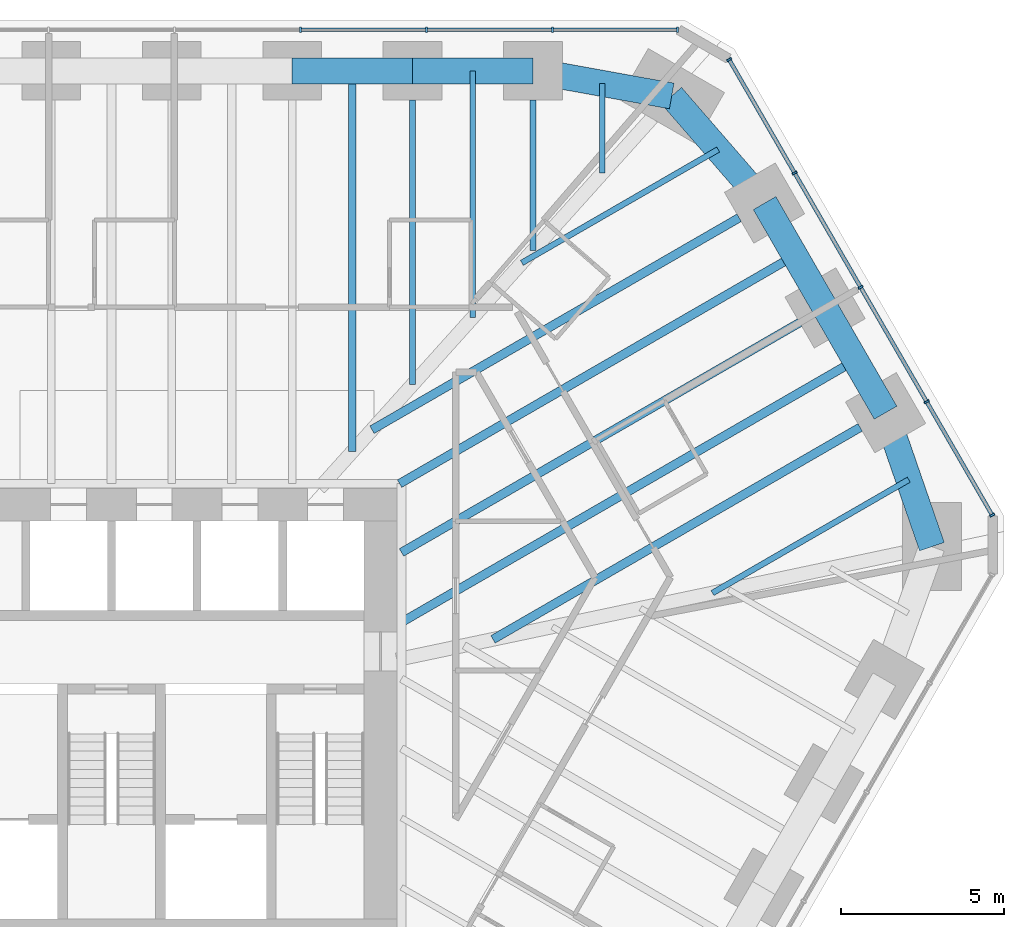
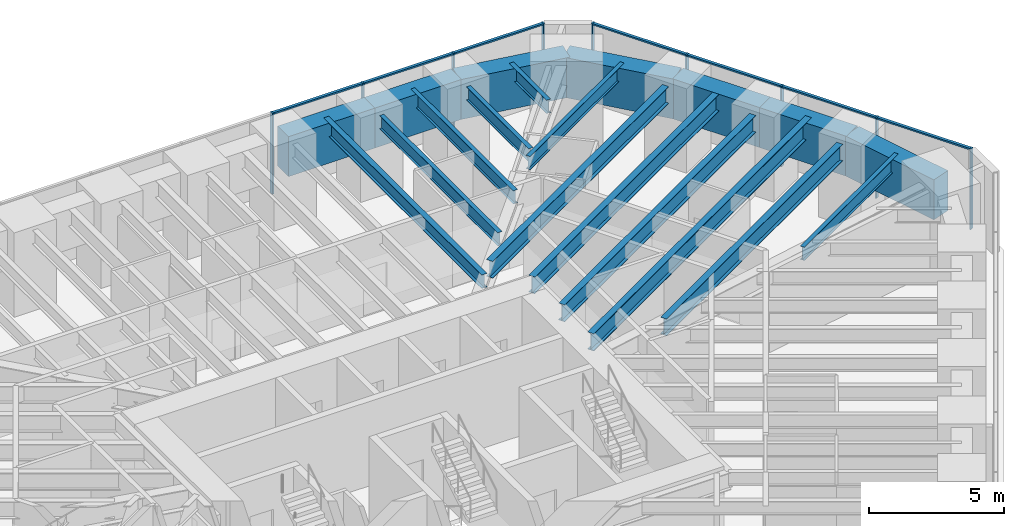
# One storey, part 9 of 16: 19 beams, 16 members, 2 elements without a shape of their own.
"""IFC4 building model written with IfcOpenShell, lengths in metres."""

import ifcopenshell
import ifcopenshell.guid

model = None  # the IFC model being written
_history = None  # IfcOwnerHistory: only IFC2X3 demands one
_inside = {}  # id of a spatial element -> (the spatial element, [elements in it])
_under = {}  # id of a project, library or spatial element -> (it, [spatial elements below it])
_declared = {}  # id of a project -> (the project, [libraries it declares])
_typed = {}  # id of a type object -> (the type object, [elements of that type])
_made_of = {}  # id of a material, layer set ... -> (it, [elements and type objects made of it])


def new_model(schema):
    """Start an empty IFC model of exactly this schema.

    Asked for "IFC4X3", IfcOpenShell would pick the latest addendum, in which some entities
    have other attributes; the version numbers below select the first issue.
    IFC2X3 requires an IfcOwnerHistory on every rooted entity: one is made here for all.
    """
    global model, _history
    if schema == "IFC4X3":
        model = ifcopenshell.file(schema_version=(4, 3, 0, 0))
    else:
        model = ifcopenshell.file(schema=schema)
    _inside.clear()
    _under.clear()
    _declared.clear()
    _typed.clear()
    _made_of.clear()
    _history = None
    if model.schema == "IFC2X3":
        org = make("IfcOrganization", Name="unknown")
        user = make(
            "IfcPersonAndOrganization",
            ThePerson=make("IfcPerson", FamilyName="unknown"),
            TheOrganization=org,
        )
        app = make(
            "IfcApplication",
            ApplicationDeveloper=org,
            Version="unknown",
            ApplicationFullName="unknown",
            ApplicationIdentifier="unknown",
        )
        _history = make(
            "IfcOwnerHistory",
            OwningUser=user,
            OwningApplication=app,
            ChangeAction="ADDED",
            CreationDate=0,
        )
    return model


def make(cls, **values):
    """One entity of the class cls with the attributes given. An attribute that is None is left unset."""
    return model.create_entity(
        cls, **{name: value for name, value in values.items() if value is not None}
    )


def rooted(cls, **values):
    """An entity with a GlobalId (a new one), such as an element, a storey or a relation."""
    return make(cls, GlobalId=ifcopenshell.guid.new(), OwnerHistory=_history, **values)


def si_unit(unit_type, name, prefix=None):
    """IfcSIUnit, for example si_unit("LENGTHUNIT", "METRE", prefix="MILLI")."""
    return make("IfcSIUnit", UnitType=unit_type, Prefix=prefix, Name=name)


def assignment(units):
    """IfcUnitAssignment: the units of a project."""
    return None if units is None else make("IfcUnitAssignment", Units=units)


def point(xyz):
    """IfcCartesianPoint."""
    return None if xyz is None else make("IfcCartesianPoint", Coordinates=xyz)


def direction(xyz):
    """IfcDirection."""
    return None if xyz is None else make("IfcDirection", DirectionRatios=xyz)


def frame(location, z_axis=None, x_axis=None):
    """IfcAxis2Placement3D, a coordinate frame: its origin and axes. An axis left out is left unset."""
    return make(
        "IfcAxis2Placement3D",
        Location=point(location),
        Axis=direction(z_axis),
        RefDirection=direction(x_axis),
    )


def frame_2d(location, x_axis=None):
    """IfcAxis2Placement2D, a coordinate frame in the plane: its origin and x axis."""
    return make(
        "IfcAxis2Placement2D", Location=point(location), RefDirection=direction(x_axis)
    )


def origin():
    """The frame at (0, 0, 0) with its axes left unset."""
    return frame((0.0, 0.0, 0.0))


def origin_2d():
    """The frame at (0, 0) in the plane with its x axis left unset."""
    return frame_2d((0.0, 0.0))


def place(relative_to, where):
    """IfcLocalPlacement: puts the frame where relative to a parent placement (None: the world)."""
    return make(
        "IfcLocalPlacement", PlacementRelTo=relative_to, RelativePlacement=where
    )


def context(
    kind, dimensions, precision=None, world=None, true_north=None, identifier=None
):
    """IfcGeometricRepresentationContext, for example the 3D "Model" context."""
    return make(
        "IfcGeometricRepresentationContext",
        ContextIdentifier=identifier,
        ContextType=kind,
        CoordinateSpaceDimension=dimensions,
        Precision=precision,
        WorldCoordinateSystem=world,
        TrueNorth=true_north,
    )


def subcontext(parent, identifier, kind, view, scale=None):
    """IfcGeometricRepresentationSubContext, for example "Body" below "Model"."""
    return make(
        "IfcGeometricRepresentationSubContext",
        ContextIdentifier=identifier,
        ContextType=kind,
        ParentContext=parent,
        TargetScale=scale,
        TargetView=view,
    )


def project(units=None, contexts=None):
    """IfcProject with its units and contexts."""
    return rooted(
        "IfcProject",
        Name="project",
        RepresentationContexts=contexts,
        UnitsInContext=assignment(units),
    )


def spatial(cls, under=None, at=None, **own):
    """A site, building, storey or space (cls), placed at a placement, below another one or the project."""
    s = rooted(cls, ObjectPlacement=at, **own)
    if under is not None:
        _under.setdefault(under.id(), (under, []))[1].append(s)
    return s


def profile(cls, at=None, kind="AREA", **sizes):
    """A parametric profile (cls). Its sizes go by their IFC names, for example OverallWidth=200.0."""
    return make(cls, ProfileType=kind, Position=at, **sizes)


def rectangle(**sizes):
    """IfcRectangleProfileDef."""
    return profile("IfcRectangleProfileDef", **sizes)


def i_section(**sizes):
    """IfcIShapeProfileDef."""
    return profile("IfcIShapeProfileDef", **sizes)


def extrude(swept, where, along, depth):
    """IfcExtrudedAreaSolid: the profile swept, set in the frame where, extruded along a direction by depth."""
    return make(
        "IfcExtrudedAreaSolid",
        SweptArea=swept,
        Position=where,
        ExtrudedDirection=direction(along),
        Depth=depth,
    )


def shape(context_of_items, identifier, shape_type, items):
    """IfcShapeRepresentation: the items that make up one representation, for example the "Body"."""
    return make(
        "IfcShapeRepresentation",
        ContextOfItems=context_of_items,
        RepresentationIdentifier=identifier,
        RepresentationType=shape_type,
        Items=items,
    )


def material(Name=None, Category=None):
    """IfcMaterial."""
    return make("IfcMaterial", Name=Name, Category=Category)


def material_profile(
    of_material, cross_section, Name=None, Category=None, Priority=None
):
    """IfcMaterialProfile: a cross section and its material."""
    return make(
        "IfcMaterialProfile",
        Name=Name,
        Material=of_material,
        Profile=cross_section,
        Priority=Priority,
        Category=Category,
    )


def profile_set(profiles, Name=None, composite=None):
    """IfcMaterialProfileSet."""
    return make(
        "IfcMaterialProfileSet",
        Name=Name,
        MaterialProfiles=profiles,
        CompositeProfile=composite,
    )


def made_of(thing, what):
    """Note that an element or type object is made of a material, layer set ...; save() writes the relation."""
    if what is not None:
        _made_of.setdefault(what.id(), (what, []))[1].append(thing)
    return thing


def type_object(cls, material=None, **own):
    """A type object (cls), such as IfcWallType, which elements share."""
    return made_of(rooted(cls, **own), material)


def element(
    cls,
    number,
    at=None,
    inside=None,
    cuts=None,
    type_object=None,
    material=None,
    context=None,
    identifier="Body",
    shape_type=None,
    held_by="IfcProductDefinitionShape",
    body=None,
    shapes=None,
    **own,
):
    """One element of the class cls, such as IfcWall. Its Tag is "e" and its number.

    at: its placement. inside: the storey or other place that contains it. cuts: it is an
    opening in that element (IfcRelVoidsElement). A single representation is given by context,
    identifier, shape_type and body (its items); several are given by shapes. held_by: the class
    of the entity that holds the representations. save() writes the other relations.
    """
    e = rooted(cls, Tag="e%d" % number, ObjectPlacement=at, **own)
    if body is not None:
        shapes = [shape(context, identifier, shape_type, body)]
    if shapes is not None:
        e.Representation = make(held_by, Representations=shapes)
    if inside is not None:
        _inside.setdefault(inside.id(), (inside, []))[1].append(e)
    if cuts is not None:
        rooted(
            "IfcRelVoidsElement", RelatingBuildingElement=cuts, RelatedOpeningElement=e
        )
    if type_object is not None:
        _typed.setdefault(type_object.id(), (type_object, []))[1].append(e)
    return made_of(e, material)


def aggregate(whole, parts):
    """IfcRelAggregates: a whole, such as a stair, and the parts it consists of."""
    return rooted("IfcRelAggregates", RelatingObject=whole, RelatedObjects=parts)


def save(model, path):
    """Write the relations noted so far, then the file.

    IfcRelAggregates (storeys below a building ...), IfcRelContainedInSpatialStructure (elements
    in a storey), IfcRelDefinesByType, IfcRelAssociatesMaterial and IfcRelDeclares: one each for
    every whole, place, type object, material and project.
    """
    for whole, parts in _under.values():
        aggregate(whole, parts)
    for where, things in _inside.values():
        rooted(
            "IfcRelContainedInSpatialStructure",
            RelatedElements=things,
            RelatingStructure=where,
        )
    for kind, things in _typed.values():
        rooted("IfcRelDefinesByType", RelatedObjects=things, RelatingType=kind)
    for what, things in _made_of.values():
        rooted("IfcRelAssociatesMaterial", RelatedObjects=things, RelatingMaterial=what)
    for by, libraries in _declared.values():
        rooted("IfcRelDeclares", RelatingContext=by, RelatedDefinitions=libraries)
    model.write(path)


model = new_model("IFC4")

# Units and contexts
model_context = context("Model", 3, precision=1e-05, world=origin(), true_north=direction((0.0, 1.0)))
body_context = subcontext(model_context, "Body", "Model", "MODEL_VIEW")
ifc_project = project(units=[si_unit("LENGTHUNIT", "METRE"), si_unit("AREAUNIT", "SQUARE_METRE"), si_unit("VOLUMEUNIT", "CUBIC_METRE"), si_unit("PLANEANGLEUNIT", "RADIAN"), si_unit("MASSUNIT", "GRAM", prefix="KILO")], contexts=[model_context])

# Site, building, storey
site_placement = place(None, origin())
site = spatial("IfcSite", under=ifc_project, at=site_placement, CompositionType="ELEMENT")
building_placement = place(site_placement, origin())
building = spatial("IfcBuilding", under=site, at=building_placement, Name="Sandreach Pilgrim Tower", CompositionType="ELEMENT")
storey_placement = place(building_placement, frame((0.0, 0.0, 183.199951171875)))
storey = spatial("IfcBuildingStorey", under=building, at=storey_placement, Name="L45", CompositionType="ELEMENT", Elevation=183.199951171875)

# Curtain wall, members
ifc_material_1 = material(Name="Aluminium framed curtain wall", Category="aluminium")
curtain_wall_type = type_object("IfcCurtainWallType", Name="Upper hotel tower curtain wall", PredefinedType="NOTDEFINED", material=ifc_material_1)
curtain_wall_1_placement = place(storey_placement, origin())
curtain_wall_1 = element("IfcCurtainWall", 1, at=curtain_wall_1_placement, inside=storey, type_object=curtain_wall_type, Name="CW-3 L45 N", PredefinedType="NOTDEFINED")
ifc_material_2 = material(Name="Aluminium extrusion", Category="aluminium")
ifc_material_profile_1 = material_profile(ifc_material_2, rectangle(XDim=0.06494140625, YDim=0.159912109375, at=origin_2d()), Name="CW-3M 65X160")
ifc_profile_set_1 = profile_set([ifc_material_profile_1], Name="Aluminium extrusion")
member_type_1 = type_object("IfcMemberType", Name="CW-3 mullion", PredefinedType="MULLION", material=ifc_profile_set_1)
member_1_placement = place(storey_placement, frame((5.796630859375, 21.16015625, 0.0), z_axis=(0.0, 0.0, 1.0), x_axis=(1.0, 0.0, 0.0)))
member_1 = element("IfcMember", 2, at=member_1_placement, type_object=member_type_1, Name="CW-3 mullion 7", PredefinedType="MULLION", context=body_context, shape_type="SweptSolid", body=[
    extrude(rectangle(XDim=0.06494140625, YDim=0.159912109375, at=origin_2d()), origin(), (0.0, 0.0, 1.0), 3.64013671875),
])
member_2_placement = place(storey_placement, frame((9.6611328125, 21.16015625, 0.0), z_axis=(0.0, 0.0, 1.0), x_axis=(1.0, 0.0, 0.0)))
member_2 = element("IfcMember", 3, at=member_2_placement, type_object=member_type_1, Name="CW-3 mullion 8", PredefinedType="MULLION", context=body_context, shape_type="SweptSolid", body=[
    extrude(rectangle(XDim=0.06494140625, YDim=0.159912109375, at=origin_2d()), origin(), (0.0, 0.0, 1.0), 3.64013671875),
])
member_3_placement = place(storey_placement, frame((13.525390625, 21.16015625, 0.0), z_axis=(0.0, 0.0, 1.0), x_axis=(1.0, 0.0, 0.0)))
member_3 = element("IfcMember", 4, at=member_3_placement, type_object=member_type_1, Name="CW-3 mullion 9", PredefinedType="MULLION", context=body_context, shape_type="SweptSolid", body=[
    extrude(rectangle(XDim=0.06494140625, YDim=0.159912109375, at=origin_2d()), origin(), (0.0, 0.0, 1.0), 3.64013671875),
])
member_4_placement = place(storey_placement, frame((17.357421875, 21.16015625, 0.0), z_axis=(0.0, 0.0, 1.0), x_axis=(1.0, 0.0, 0.0)))
member_4 = element("IfcMember", 5, at=member_4_placement, type_object=member_type_1, Name="CW-3 mullion 10", PredefinedType="MULLION", context=body_context, shape_type="SweptSolid", body=[
    extrude(rectangle(XDim=0.06494140625, YDim=0.159912109375, at=origin_2d()), origin(), (0.0, 0.0, 1.0), 3.64013671875),
])

curtain_wall_2_placement = place(storey_placement, origin())
curtain_wall_2 = element("IfcCurtainWall", 6, at=curtain_wall_2_placement, inside=storey, type_object=curtain_wall_type, Name="CW-3 L45 NE", PredefinedType="NOTDEFINED")
member_5_placement = place(storey_placement, frame((18.93896484375, 20.2470703125, 0.0), z_axis=(0.0, 0.0, 1.0), x_axis=(0.5, -0.866025403784, 0.0)))
member_5 = element("IfcMember", 7, at=member_5_placement, type_object=member_type_1, Name="CW-3 mullion 1", PredefinedType="MULLION", context=body_context, shape_type="SweptSolid", body=[
    extrude(rectangle(XDim=0.06494140625, YDim=0.159912109375, at=origin_2d()), origin(), (0.0, 0.0, 1.0), 3.64013671875),
])
member_6_placement = place(storey_placement, frame((20.947021484375, 16.768798828125, 0.0), z_axis=(0.0, 0.0, 1.0), x_axis=(0.5, -0.866025403784, 0.0)))
member_6 = element("IfcMember", 8, at=member_6_placement, type_object=member_type_1, Name="CW-3 mullion 2", PredefinedType="MULLION", context=body_context, shape_type="SweptSolid", body=[
    extrude(rectangle(XDim=0.06494140625, YDim=0.159912109375, at=origin_2d()), origin(), (0.0, 0.0, 1.0), 3.64013671875),
])
member_7_placement = place(storey_placement, frame((22.971435546875, 13.262451171875, 0.0), z_axis=(0.0, 0.0, 1.0), x_axis=(0.5, -0.866025403784, 0.0)))
member_7 = element("IfcMember", 9, at=member_7_placement, type_object=member_type_1, Name="CW-3 mullion 3", PredefinedType="MULLION", context=body_context, shape_type="SweptSolid", body=[
    extrude(rectangle(XDim=0.06494140625, YDim=0.159912109375, at=origin_2d()), origin(), (0.0, 0.0, 1.0), 3.64013671875),
])
member_8_placement = place(storey_placement, frame((24.995849609375, 9.75634765625, 0.0), z_axis=(0.0, 0.0, 1.0), x_axis=(0.5, -0.866025403784, 0.0)))
member_8 = element("IfcMember", 10, at=member_8_placement, type_object=member_type_1, Name="CW-3 mullion 4", PredefinedType="MULLION", context=body_context, shape_type="SweptSolid", body=[
    extrude(rectangle(XDim=0.06494140625, YDim=0.159912109375, at=origin_2d()), origin(), (0.0, 0.0, 1.0), 3.64013671875),
])
member_9_placement = place(storey_placement, frame((27.00390625, 6.278076171875, 0.0), z_axis=(0.0, 0.0, 1.0), x_axis=(0.5, -0.866025403784, 0.0)))
member_9 = element("IfcMember", 11, at=member_9_placement, type_object=member_type_1, Name="CW-3 mullion 5", PredefinedType="MULLION", context=body_context, shape_type="SweptSolid", body=[
    extrude(rectangle(XDim=0.06494140625, YDim=0.159912109375, at=origin_2d()), origin(), (0.0, 0.0, 1.0), 3.64013671875),
])

# Member
ifc_material_3 = material(Name="Aluminium extrusion", Category="aluminium")
ifc_material_profile_2 = material_profile(ifc_material_3, rectangle(XDim=0.1201171875, YDim=0.070068359375, at=origin_2d()), Name="CW-3T 120X70")
ifc_profile_set_2 = profile_set([ifc_material_profile_2], Name="Aluminium extrusion")
member_type_2 = type_object("IfcMemberType", Name="CW-3 transom", PredefinedType="USERDEFINED", material=ifc_profile_set_2)
member_10_placement = place(storey_placement, frame((5.8291015625, 21.16015625, 3.60498046875), z_axis=(1.0, 0.0, 0.0), x_axis=(0.0, 1.0, 0.0)))
member_10 = element("IfcMember", 12, at=member_10_placement, type_object=member_type_2, Name="CW-3 head transom 7", ObjectType="TRANSOM", PredefinedType="USERDEFINED", context=body_context, shape_type="SweptSolid", body=[
    extrude(rectangle(XDim=0.1201171875, YDim=0.070068359375, at=origin_2d()), origin(), (0.0, 0.0, 1.0), 3.799560546875),
])

member_11_placement = place(storey_placement, frame((9.693603515625, 21.16015625, 3.60498046875), z_axis=(1.0, 0.0, 0.0), x_axis=(0.0, 1.0, 0.0)))
member_11 = element("IfcMember", 13, at=member_11_placement, type_object=member_type_2, Name="CW-3 head transom 8", ObjectType="TRANSOM", PredefinedType="USERDEFINED", context=body_context, shape_type="SweptSolid", body=[
    extrude(rectangle(XDim=0.1201171875, YDim=0.070068359375, at=origin_2d()), origin(), (0.0, 0.0, 1.0), 3.79931640625),
])

member_12_placement = place(storey_placement, frame((13.557861328125, 21.16015625, 3.60498046875), z_axis=(1.0, 0.0, 0.0), x_axis=(0.0, 1.0, 0.0)))
member_12 = element("IfcMember", 14, at=member_12_placement, type_object=member_type_2, Name="CW-3 head transom 9", ObjectType="TRANSOM", PredefinedType="USERDEFINED", context=body_context, shape_type="SweptSolid", body=[
    extrude(rectangle(XDim=0.1201171875, YDim=0.070068359375, at=origin_2d()), origin(), (0.0, 0.0, 1.0), 3.76708984375),
])

aggregate(curtain_wall_1, [member_1, member_2, member_3, member_4, member_10, member_11, member_12])

member_13_placement = place(storey_placement, frame((18.955322265625, 20.21875, 3.60498046875), z_axis=(0.499993448556, -0.866029186229, 0.0), x_axis=(0.866029186229, 0.499993448556, 0.0)))
member_13 = element("IfcMember", 15, at=member_13_placement, type_object=member_type_2, Name="CW-3 head transom 1", ObjectType="TRANSOM", PredefinedType="USERDEFINED", context=body_context, shape_type="SweptSolid", body=[
    extrude(rectangle(XDim=0.1201171875, YDim=0.070068359375, at=origin_2d()), origin(), (0.0, 0.0, 1.0), 3.951171875),
])

member_14_placement = place(storey_placement, frame((20.96337890625, 16.74072265625, 3.60498046875), z_axis=(0.499975332564, -0.866039645067, 0.0), x_axis=(0.866039645067, 0.499975332564, 0.0)))
member_14 = element("IfcMember", 16, at=member_14_placement, type_object=member_type_2, Name="CW-3 head transom 2", ObjectType="TRANSOM", PredefinedType="USERDEFINED", context=body_context, shape_type="SweptSolid", body=[
    extrude(rectangle(XDim=0.1201171875, YDim=0.070068359375, at=origin_2d()), origin(), (0.0, 0.0, 1.0), 3.983642578125),
])

member_15_placement = place(storey_placement, frame((22.98779296875, 13.234375, 3.60498046875), z_axis=(0.499975332564, -0.866039645067, 0.0), x_axis=(0.866039645067, 0.499975332564, 0.0)))
member_15 = element("IfcMember", 17, at=member_15_placement, type_object=member_type_2, Name="CW-3 head transom 3", ObjectType="TRANSOM", PredefinedType="USERDEFINED", context=body_context, shape_type="SweptSolid", body=[
    extrude(rectangle(XDim=0.1201171875, YDim=0.070068359375, at=origin_2d()), origin(), (0.0, 0.0, 1.0), 3.983642578125),
])

member_16_placement = place(storey_placement, frame((25.011962890625, 9.728271484375, 3.60498046875), z_axis=(0.499993448556, -0.866029186229, 0.0), x_axis=(0.866029186229, 0.499993448556, 0.0)))
member_16 = element("IfcMember", 18, at=member_16_placement, type_object=member_type_2, Name="CW-3 head transom 4", ObjectType="TRANSOM", PredefinedType="USERDEFINED", context=body_context, shape_type="SweptSolid", body=[
    extrude(rectangle(XDim=0.1201171875, YDim=0.070068359375, at=origin_2d()), origin(), (0.0, 0.0, 1.0), 3.951171875),
])

aggregate(curtain_wall_2, [member_5, member_6, member_7, member_8, member_9, member_13, member_14, member_15, member_16])

# Beams
ifc_material_4 = material(Name="Steel ASTM A992 Grade 50", Category="steel")
ifc_material_profile_3 = material_profile(ifc_material_4, i_section(OverallWidth=0.1787109375, OverallDepth=0.60205078125, WebThickness=0.010986328125, FlangeThickness=0.014892578125, at=origin_2d()), Name="W24X62")
ifc_profile_set_3 = profile_set([ifc_material_profile_3], Name="Steel ASTM A992 Grade 50")
beam_type_1 = type_object("IfcBeamType", Name="Floor beam W24X62", PredefinedType="BEAM", material=ifc_profile_set_3)
beam_1_placement = place(storey_placement, frame((9.231201171875, 19.0, 3.339111328125), z_axis=(0.0, -1.0, 0.0), x_axis=(1.0, 0.0, 0.0)))
element("IfcBeam", 19, at=beam_1_placement, inside=storey, type_object=beam_type_1, Name="BM L45 F07", PredefinedType="BEAM", context=body_context, shape_type="SweptSolid", body=[
    extrude(i_section(OverallWidth=0.1787109375, OverallDepth=0.60205078125, WebThickness=0.010986328125, FlangeThickness=0.014892578125, at=origin_2d()), origin(), (0.0, 0.0, 1.0), 8.719482421875),
])
beam_2_placement = place(storey_placement, frame((12.923828125, 19.0, 3.339111328125), z_axis=(0.0, -1.0, 0.0), x_axis=(1.0, 0.0, 0.0)))
element("IfcBeam", 20, at=beam_2_placement, inside=storey, type_object=beam_type_1, Name="BM L45 F08", PredefinedType="BEAM", context=body_context, shape_type="SweptSolid", body=[
    extrude(i_section(OverallWidth=0.1787109375, OverallDepth=0.60205078125, WebThickness=0.010986328125, FlangeThickness=0.014892578125, at=origin_2d()), origin(), (0.0, 0.0, 1.0), 4.607421875),
])
beam_3_placement = place(storey_placement, frame((11.077392578125, 19.900146484375, 3.339111328125), z_axis=(0.0, -1.0, 0.0), x_axis=(1.0, 0.0, 0.0)))
element("IfcBeam", 21, at=beam_3_placement, inside=storey, type_object=beam_type_1, Name="BM L45 FM07", PredefinedType="BEAM", context=body_context, shape_type="SweptSolid", body=[
    extrude(i_section(OverallWidth=0.1787109375, OverallDepth=0.60205078125, WebThickness=0.010986328125, FlangeThickness=0.014892578125, at=origin_2d()), origin(), (0.0, 0.0, 1.0), 7.563720703125),
])
beam_4_placement = place(storey_placement, frame((15.05078125, 19.515380859375, 3.339111328125), z_axis=(0.0, -1.0, 0.0), x_axis=(1.0, 0.0, 0.0)))
element("IfcBeam", 22, at=beam_4_placement, inside=storey, type_object=beam_type_1, Name="BM L45 FM08", PredefinedType="BEAM", context=body_context, shape_type="SweptSolid", body=[
    extrude(i_section(OverallWidth=0.1787109375, OverallDepth=0.60205078125, WebThickness=0.010986328125, FlangeThickness=0.014892578125, at=origin_2d()), origin(), (0.0, 0.0, 1.0), 2.75390625),
])
for number, where, z_axis, x_axis, name in (
    (23, (18.6015625, 17.48828125, 3.339111328125), (-0.866029381593, -0.499993110171, 0.0), (0.499993110171, -0.866029381593, 0.0), "BM L45 FM09"),
    (24, (24.446044921875, 7.365234375, 3.339111328125), (-0.866029381593, -0.499993110171, 0.0), (0.499993110171, -0.866029381593, 0.0), "BM L45 FM12"),
):
    element("IfcBeam", number, at=place(storey_placement, frame(where, z_axis=z_axis, x_axis=x_axis)), inside=storey, type_object=beam_type_1, Name=name, PredefinedType="BEAM", context=body_context, shape_type="SweptSolid", body=[
        extrude(i_section(OverallWidth=0.1787109375, OverallDepth=0.60205078125, WebThickness=0.010986328125, FlangeThickness=0.014892578125, at=origin_2d()), origin(), (0.0, 0.0, 1.0), 6.94921875),
    ])
ifc_material_5 = material(Name="Steel ASTM A992 Grade 50", Category="steel")
ifc_material_profile_4 = material_profile(ifc_material_5, i_section(OverallWidth=0.23046875, OverallDepth=0.6171875, WebThickness=0.01318359375, FlangeThickness=0.022216796875, at=origin_2d()), Name="W24X94")
ifc_profile_set_4 = profile_set([ifc_material_profile_4], Name="Steel ASTM A992 Grade 50")
beam_type_2 = type_object("IfcBeamType", Name="Floor beam W24X94", PredefinedType="BEAM", material=ifc_profile_set_4)
beam_5_placement = place(storey_placement, frame((7.385009765625, 19.900146484375, 3.33154296875), z_axis=(0.0, -1.0, 0.0), x_axis=(1.0, 0.0, 0.0)))
element("IfcBeam", 25, at=beam_5_placement, inside=storey, type_object=beam_type_2, Name="BM L45 FM06", PredefinedType="BEAM", context=body_context, shape_type="SweptSolid", body=[
    extrude(i_section(OverallWidth=0.23046875, OverallDepth=0.6171875, WebThickness=0.01318359375, FlangeThickness=0.022216796875, at=origin_2d()), origin(), (0.0, 0.0, 1.0), 11.67578125),
])
ifc_material_6 = material(Name="Steel ASTM A992 Grade 50", Category="steel")
ifc_material_profile_5 = material_profile(ifc_material_6, i_section(OverallWidth=0.2666015625, OverallDepth=0.761962890625, WebThickness=0.014404296875, FlangeThickness=0.021484375, at=origin_2d()), Name="W30X116")
ifc_profile_set_5 = profile_set([ifc_material_profile_5], Name="Steel ASTM A992 Grade 50")
beam_type_3 = type_object("IfcBeamType", Name="Floor beam W30X116", PredefinedType="BEAM", material=ifc_profile_set_5)
beam_6_placement = place(storey_placement, frame((19.24560546875, 15.395751953125, 3.259033203125), z_axis=(-0.866029195513, -0.499993432475, 0.0), x_axis=(0.499993432475, -0.866029195513, 0.0)))
element("IfcBeam", 26, at=beam_6_placement, inside=storey, type_object=beam_type_3, Name="BM L45 F10", PredefinedType="BEAM", context=body_context, shape_type="SweptSolid", body=[
    extrude(i_section(OverallWidth=0.2666015625, OverallDepth=0.761962890625, WebThickness=0.014404296875, FlangeThickness=0.021484375, at=origin_2d()), origin(), (0.0, 0.0, 1.0), 12.998291015625),
])
beam_7_placement = place(storey_placement, frame((21.100830078125, 12.1826171875, 3.259033203125), z_axis=(-0.866022915081, -0.500004310537, 0.0), x_axis=(0.500004310537, -0.866022915081, 0.0)))
element("IfcBeam", 27, at=beam_7_placement, inside=storey, type_object=beam_type_3, Name="BM L45 F11", PredefinedType="BEAM", context=body_context, shape_type="SweptSolid", body=[
    extrude(i_section(OverallWidth=0.2666015625, OverallDepth=0.761962890625, WebThickness=0.014404296875, FlangeThickness=0.021484375, at=origin_2d()), origin(), (0.0, 0.0, 1.0), 14.09619140625),
])
beam_8_placement = place(storey_placement, frame((22.9560546875, 8.96923828125, 3.259033203125), z_axis=(-0.86602575807, -0.499999386358, 0.0), x_axis=(0.499999386358, -0.86602575807, 0.0)))
element("IfcBeam", 28, at=beam_8_placement, inside=storey, type_object=beam_type_3, Name="BM L45 F12", PredefinedType="BEAM", context=body_context, shape_type="SweptSolid", body=[
    extrude(i_section(OverallWidth=0.2666015625, OverallDepth=0.761962890625, WebThickness=0.014404296875, FlangeThickness=0.021484375, at=origin_2d()), origin(), (0.0, 0.0, 1.0), 12.99853515625),
])
beam_9_placement = place(storey_placement, frame((20.95263671875, 14.2392578125, 3.259033203125), z_axis=(-0.866025770688, -0.499999364504, 0.0), x_axis=(0.499999364504, -0.866025770688, 0.0)))
element("IfcBeam", 29, at=beam_9_placement, inside=storey, type_object=beam_type_3, Name="BM L45 FM10", PredefinedType="BEAM", context=body_context, shape_type="SweptSolid", body=[
    extrude(i_section(OverallWidth=0.2666015625, OverallDepth=0.761962890625, WebThickness=0.014404296875, FlangeThickness=0.021484375, at=origin_2d()), origin(), (0.0, 0.0, 1.0), 13.99169921875),
])
ifc_material_7 = material(Name="Steel ASTM A992 Grade 50", Category="steel")
ifc_material_profile_6 = material_profile(ifc_material_7, i_section(OverallWidth=0.2666015625, OverallDepth=0.77978515625, WebThickness=0.0166015625, FlangeThickness=0.030029296875, at=origin_2d()), Name="W30X148")
ifc_profile_set_6 = profile_set([ifc_material_profile_6], Name="Steel ASTM A992 Grade 50")
beam_type_4 = type_object("IfcBeamType", Name="Floor beam W30X148", PredefinedType="BEAM", material=ifc_profile_set_6)
beam_10_placement = place(storey_placement, frame((22.807861328125, 11.02587890625, 3.250244140625), z_axis=(-0.866028701771, -0.499994287676, 0.0), x_axis=(0.499994287676, -0.866028701771, 0.0)))
element("IfcBeam", 30, at=beam_10_placement, inside=storey, type_object=beam_type_4, Name="BM L45 FM11", PredefinedType="BEAM", context=body_context, shape_type="SweptSolid", body=[
    extrude(i_section(OverallWidth=0.2666015625, OverallDepth=0.77978515625, WebThickness=0.0166015625, FlangeThickness=0.030029296875, at=origin_2d()), origin(), (0.0, 0.0, 1.0), 16.067138671875),
])
ifc_material_8 = material(Name="Concrete 10000 psi", Category="concrete")
ifc_material_profile_7 = material_profile(ifc_material_8, rectangle(XDim=0.800048828125, YDim=1.800048828125, at=origin_2d()), Name="RC800X1800")
ifc_profile_set_7 = profile_set([ifc_material_profile_7], Name="Concrete 10000 psi")
beam_type_5 = type_object("IfcBeamType", Name="Spandrel beam RC800X1800", PredefinedType="SPANDREL", material=ifc_profile_set_7)
beam_11_placement = place(storey_placement, frame((5.538818359375, 19.900146484375, 2.739990234375), z_axis=(1.0, 0.0, 0.0), x_axis=(0.0, 1.0, 0.0)))
element("IfcBeam", 31, at=beam_11_placement, inside=storey, type_object=beam_type_5, Name="BM L45 SP06", PredefinedType="SPANDREL", context=body_context, shape_type="SweptSolid", body=[
    extrude(rectangle(XDim=0.800048828125, YDim=1.800048828125, at=origin_2d()), origin(), (0.0, 0.0, 1.0), 3.6923828125),
])
beam_12_placement = place(storey_placement, frame((9.231201171875, 19.900146484375, 2.739990234375), z_axis=(1.0, 0.0, 0.0), x_axis=(0.0, 1.0, 0.0)))
element("IfcBeam", 32, at=beam_12_placement, inside=storey, type_object=beam_type_5, Name="BM L45 SP07", PredefinedType="SPANDREL", context=body_context, shape_type="SweptSolid", body=[
    extrude(rectangle(XDim=0.800048828125, YDim=1.800048828125, at=origin_2d()), origin(), (0.0, 0.0, 1.0), 3.692626953125),
])
beam_13_placement = place(storey_placement, frame((12.923828125, 19.900146484375, 2.739990234375), z_axis=(0.984030345637, -0.178000783326, 0.0), x_axis=(0.178000783326, 0.984030345637, 0.0)))
element("IfcBeam", 33, at=beam_13_placement, inside=storey, type_object=beam_type_5, Name="BM L45 SP08", PredefinedType="SPANDREL", context=body_context, shape_type="SweptSolid", body=[
    extrude(rectangle(XDim=0.800048828125, YDim=1.800048828125, at=origin_2d()), origin(), (0.0, 0.0, 1.0), 4.3232421875),
])
beam_14_placement = place(storey_placement, frame((17.177978515625, 19.130615234375, 2.739990234375), z_axis=(0.65499040715, -0.755637192402, 0.0), x_axis=(0.755637192402, 0.65499040715, 0.0)))
element("IfcBeam", 34, at=beam_14_placement, inside=storey, type_object=beam_type_5, Name="BM L45 SP09", PredefinedType="SPANDREL", context=body_context, shape_type="SweptSolid", body=[
    extrude(rectangle(XDim=0.800048828125, YDim=1.800048828125, at=origin_2d()), origin(), (0.0, 0.0, 1.0), 4.346923828125),
])
for number, where, z_axis, x_axis, name in (
    (35, (20.025146484375, 15.845947265625, 2.739990234375), (0.499995842751, -0.86602780396, 0.0), (0.86602780396, 0.499995842751, 0.0), "BM L45 SP10"),
    (36, (21.88037109375, 12.632568359375, 2.739990234375), (0.499946491854, -0.866056294523, 0.0), (0.866056294523, 0.499946491854, 0.0), "BM L45 SP11"),
):
    element("IfcBeam", number, at=place(storey_placement, frame(where, z_axis=z_axis, x_axis=x_axis)), inside=storey, type_object=beam_type_5, Name=name, PredefinedType="SPANDREL", context=body_context, shape_type="SweptSolid", body=[
        extrude(rectangle(XDim=0.800048828125, YDim=1.800048828125, at=origin_2d()), origin(), (0.0, 0.0, 1.0), 3.71044921875),
    ])
beam_15_placement = place(storey_placement, frame((23.7353515625, 9.419189453125, 2.739990234375), z_axis=(0.326940800053, -0.945044820768, 0.0), x_axis=(0.945044820768, 0.326940800053, 0.0)))
element("IfcBeam", 37, at=beam_15_placement, inside=storey, type_object=beam_type_5, Name="BM L45 SP12", PredefinedType="SPANDREL", context=body_context, shape_type="SweptSolid", body=[
    extrude(rectangle(XDim=0.800048828125, YDim=1.800048828125, at=origin_2d()), origin(), (0.0, 0.0, 1.0), 4.3466796875),
])

save(model, "model.ifc")
